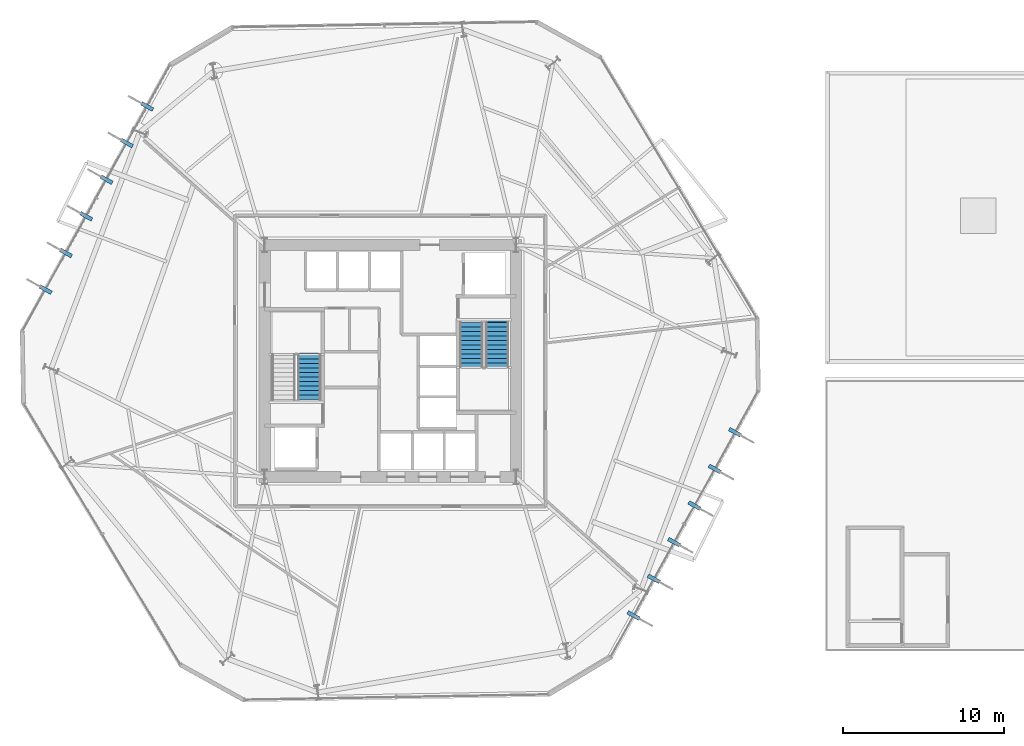
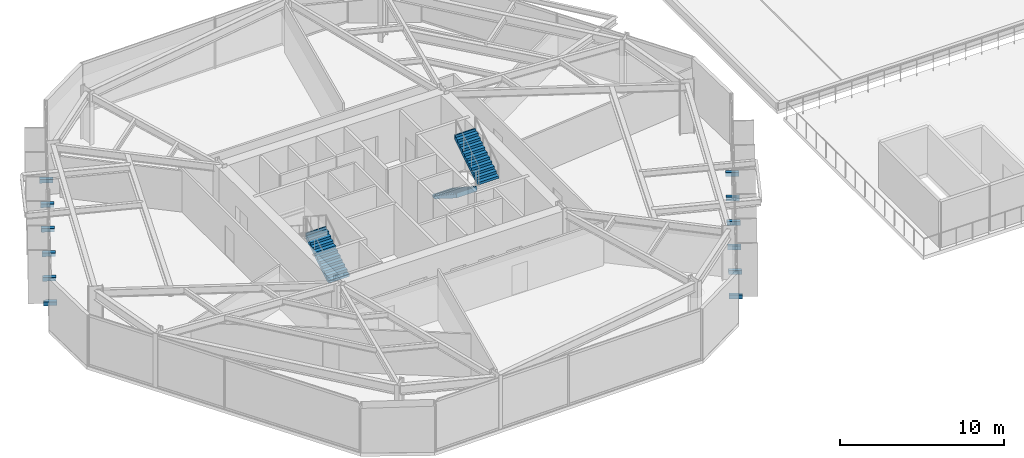
# One storey, part 8 of 11: 12 discrete accessories, 3 stair flights, 2 elements without a shape of their own.
"""IFC4 building model written with IfcOpenShell, lengths in metres."""

from ifc_helpers import new_model, si_unit, direction, frame, origin, origin_2d, place, context, subcontext, project, spatial, polyline, rectangle, outline, extrude, material, type_object, element, aggregate, save


model = new_model("IFC4")

# Units and contexts
model_context = context("Model", 3, precision=1e-05, world=origin(), true_north=direction((0.0, 1.0)))
body_context = subcontext(model_context, "Body", "Model", "MODEL_VIEW")
ifc_project = project(units=[si_unit("LENGTHUNIT", "METRE"), si_unit("AREAUNIT", "SQUARE_METRE"), si_unit("VOLUMEUNIT", "CUBIC_METRE"), si_unit("PLANEANGLEUNIT", "RADIAN"), si_unit("MASSUNIT", "GRAM", prefix="KILO")], contexts=[model_context])

# Site, building, storey
site_placement = place(None, origin())
site = spatial("IfcSite", under=ifc_project, at=site_placement, CompositionType="ELEMENT")
building_placement = place(site_placement, origin())
building = spatial("IfcBuilding", under=site, at=building_placement, Name="Kranzbogen Civic Tower", CompositionType="ELEMENT")
storey_placement = place(building_placement, frame((0.0, 0.0, 24.0)))
storey = spatial("IfcBuildingStorey", under=building, at=storey_placement, Name="L05", CompositionType="ELEMENT", Elevation=24.0)

# Stair, stair flight
ifc_material_1 = material(Name="Precast concrete C40/50", Category="concrete")
stair_type_1 = type_object("IfcStairType", Name="Tower Core Pressurized Dogleg Stair 1450", PredefinedType="HALF_TURN_STAIR", material=ifc_material_1)
stair_1_placement = place(storey_placement, origin())
stair_1 = element("IfcStair", 1, at=stair_1_placement, inside=storey, type_object=stair_type_1, Name="L05 Tower Core Pressurized Stair 1", PredefinedType="HALF_TURN_STAIR")
stair_flight_type = type_object("IfcStairFlightType", Name="Precast Concrete Stair Flight R180", PredefinedType="STRAIGHT", material=ifc_material_1)
stair_flight_1_placement = place(storey_placement, frame((19.97509765625, 22.60009765625, 0.0), z_axis=(0.0, 0.0, 1.0), x_axis=(0.0, 1.0, 0.0)))
stair_flight_1 = element("IfcStairFlight", 2, at=stair_flight_1_placement, type_object=stair_flight_type, Name="ST-T1 flight 1", NumberOfRisers=11, NumberOfTreads=10, PredefinedType="STRAIGHT", RiserHeight=0.181818182, TreadLength=0.28, context=body_context, shape_type="SweptSolid", body=[
    extrude(outline(polyline([(0.0, 0.0), (0.0, 0.181884765625), (0.280029296875, 0.181884765625), (0.280029296875, 0.363525390625), (0.56005859375, 0.363525390625), (0.56005859375, 0.54541015625), (0.840087890625, 0.54541015625), (0.840087890625, 0.727294921875), (1.1201171875, 0.727294921875), (1.1201171875, 0.9091796875), (1.39990234375, 0.9091796875), (1.39990234375, 1.0908203125), (1.679931640625, 1.0908203125), (1.679931640625, 1.272705078125), (1.9599609375, 1.272705078125), (1.9599609375, 1.45458984375), (2.239990234375, 1.45458984375), (2.239990234375, 1.636474609375), (2.52001953125, 1.636474609375), (2.52001953125, 1.818115234375), (2.800048828125, 1.818115234375), (2.800048828125, 2.0), (2.880126953125, 2.0), (2.880126953125, 1.639404296875), (0.275146484375, 0.0), (0.0, 0.0)])), frame((0.0, 0.72509765625, 0.0), z_axis=(0.0, -1.0, 0.0), x_axis=(1.0, 0.0, 0.0)), (0.0, 0.0, 1.0), 1.449951171875),
])
aggregate(stair_1, [stair_flight_1])

# Stair, stair flights
stair_type_2 = type_object("IfcStairType", Name="Tower Core Secondary Dogleg Stair 1450", PredefinedType="HALF_TURN_STAIR", material=ifc_material_1)
stair_2_placement = place(storey_placement, origin())
stair_2 = element("IfcStair", 3, at=stair_2_placement, inside=storey, type_object=stair_type_2, Name="L05 Tower Core Pressurized Stair 2", PredefinedType="HALF_TURN_STAIR")
stair_flight_2_placement = place(storey_placement, frame((30.02490234375, 27.39990234375, 0.0), z_axis=(0.0, 0.0, 1.0), x_axis=(0.0, -1.0, 0.0)))
stair_flight_2 = element("IfcStairFlight", 4, at=stair_flight_2_placement, type_object=stair_flight_type, Name="ST-T2 flight 1", NumberOfRisers=11, NumberOfTreads=10, PredefinedType="STRAIGHT", RiserHeight=0.181818182, TreadLength=0.28, context=body_context, shape_type="SweptSolid", body=[
    extrude(outline(polyline([(0.0, 0.0), (0.0, 0.181884765625), (0.280029296875, 0.181884765625), (0.280029296875, 0.363525390625), (0.56005859375, 0.363525390625), (0.56005859375, 0.54541015625), (0.840087890625, 0.54541015625), (0.840087890625, 0.727294921875), (1.1201171875, 0.727294921875), (1.1201171875, 0.9091796875), (1.39990234375, 0.9091796875), (1.39990234375, 1.0908203125), (1.679931640625, 1.0908203125), (1.679931640625, 1.272705078125), (1.9599609375, 1.272705078125), (1.9599609375, 1.45458984375), (2.239990234375, 1.45458984375), (2.239990234375, 1.636474609375), (2.52001953125, 1.636474609375), (2.52001953125, 1.818115234375), (2.800048828125, 1.818115234375), (2.800048828125, 2.0), (2.880126953125, 2.0), (2.880126953125, 1.639404296875), (0.275146484375, 0.0), (0.0, 0.0)])), frame((0.0, 0.72509765625, 0.0), z_axis=(0.0, -1.0, 0.0), x_axis=(1.0, 0.0, 0.0)), (0.0, 0.0, 1.0), 1.449951171875),
])
stair_flight_3_placement = place(storey_placement, frame((31.625, 24.60009765625, 2.0), z_axis=(0.0, 0.0, 1.0), x_axis=(0.0, 1.0, 0.0)))
stair_flight_3 = element("IfcStairFlight", 5, at=stair_flight_3_placement, type_object=stair_flight_type, Name="ST-T2 flight 2", NumberOfRisers=11, NumberOfTreads=10, PredefinedType="STRAIGHT", RiserHeight=0.181818182, TreadLength=0.28, context=body_context, shape_type="SweptSolid", body=[
    extrude(outline(polyline([(0.0, 0.0), (0.0, 0.181884765625), (0.280029296875, 0.181884765625), (0.280029296875, 0.363525390625), (0.56005859375, 0.363525390625), (0.56005859375, 0.54541015625), (0.840087890625, 0.54541015625), (0.840087890625, 0.727294921875), (1.1201171875, 0.727294921875), (1.1201171875, 0.9091796875), (1.39990234375, 0.9091796875), (1.39990234375, 1.0908203125), (1.679931640625, 1.0908203125), (1.679931640625, 1.272705078125), (1.9599609375, 1.272705078125), (1.9599609375, 1.45458984375), (2.239990234375, 1.45458984375), (2.239990234375, 1.636474609375), (2.52001953125, 1.636474609375), (2.52001953125, 1.818115234375), (2.800048828125, 1.818115234375), (2.800048828125, 2.0), (2.880126953125, 2.0), (2.880126953125, 1.639404296875), (0.275146484375, 0.0), (0.0, 0.0)])), frame((0.0, 0.72509765625, 0.0), z_axis=(0.0, -1.0, 0.0), x_axis=(1.0, 0.0, 0.0)), (0.0, 0.0, 1.0), 1.449951171875),
])
aggregate(stair_2, [stair_flight_2, stair_flight_3])

# Discrete accessories
ifc_material_2 = material(Name="Steel S355", Category="steel")
discrete_accessory_type = type_object("IfcDiscreteAccessoryType", Name="Structural Curtain-Wall Fin Support Bracket", PredefinedType="BRACKET", material=ifc_material_2)
for number, where, z_axis, x_axis, name in (
    (6, (9.906005859375, 40.798095703125, -0.25), (0.0, 0.0, 1.0), (-0.874619707139, 0.484809620246, 0.0), "L05 facade fin support bracket F3-1"),
    (7, (8.64599609375, 38.52392578125, -0.25), (0.0, 0.0, 1.0), (-0.874619707139, 0.484809620246, 0.0), "L05 facade fin support bracket F3-2"),
    (8, (7.385986328125, 36.25, -0.25), (0.0, 0.0, 1.0), (-0.874619707139, 0.484809620246, 0.0), "L05 facade fin support bracket F3-3"),
    (9, (6.125, 33.97607421875, -0.25), (0.0, 0.0, 1.0), (-0.874619707139, 0.484809620246, 0.0), "L05 facade fin support bracket F3-4"),
    (10, (4.864990234375, 31.701904296875, -0.25), (0.0, 0.0, 1.0), (-0.874619707139, 0.484809620246, 0.0), "L05 facade fin support bracket F3-5"),
    (11, (3.60400390625, 29.427978515625, -0.25), (0.0, 0.0, 1.0), (-0.874619707139, 0.484809620246, 0.0), "L05 facade fin support bracket F3-6"),
    (12, (40.093994140625, 9.201904296875, -0.25), (0.0, 0.0, 1.0), (0.874619707139, -0.484809620246, 0.0), "L05 facade fin support bracket F6-1"),
    (13, (41.35400390625, 11.47607421875, -0.25), (0.0, 0.0, 1.0), (0.874619707139, -0.484809620246, 0.0), "L05 facade fin support bracket F6-2"),
    (14, (42.614013671875, 13.75, -0.25), (0.0, 0.0, 1.0), (0.874619707139, -0.484809620246, 0.0), "L05 facade fin support bracket F6-3"),
    (15, (43.875, 16.02392578125, -0.25), (0.0, 0.0, 1.0), (0.874619707139, -0.484809620246, 0.0), "L05 facade fin support bracket F6-4"),
    (16, (45.135009765625, 18.298095703125, -0.25), (0.0, 0.0, 1.0), (0.874619707139, -0.484809620246, 0.0), "L05 facade fin support bracket F6-5"),
    (17, (46.39599609375, 20.572021484375, -0.25), (0.0, 0.0, 1.0), (0.874619707139, -0.484809620246, 0.0), "L05 facade fin support bracket F6-6"),
):
    element("IfcDiscreteAccessory", number, at=place(storey_placement, frame(where, z_axis=z_axis, x_axis=x_axis)), inside=storey, type_object=discrete_accessory_type, Name=name, PredefinedType="BRACKET", context=body_context, shape_type="SweptSolid", body=[
        extrude(rectangle(XDim=0.820068359375, YDim=0.239990234375, at=origin_2d()), origin(), (0.0, 0.0, 1.0), 0.280029296875),
    ])

save(model, "model.ifc")
